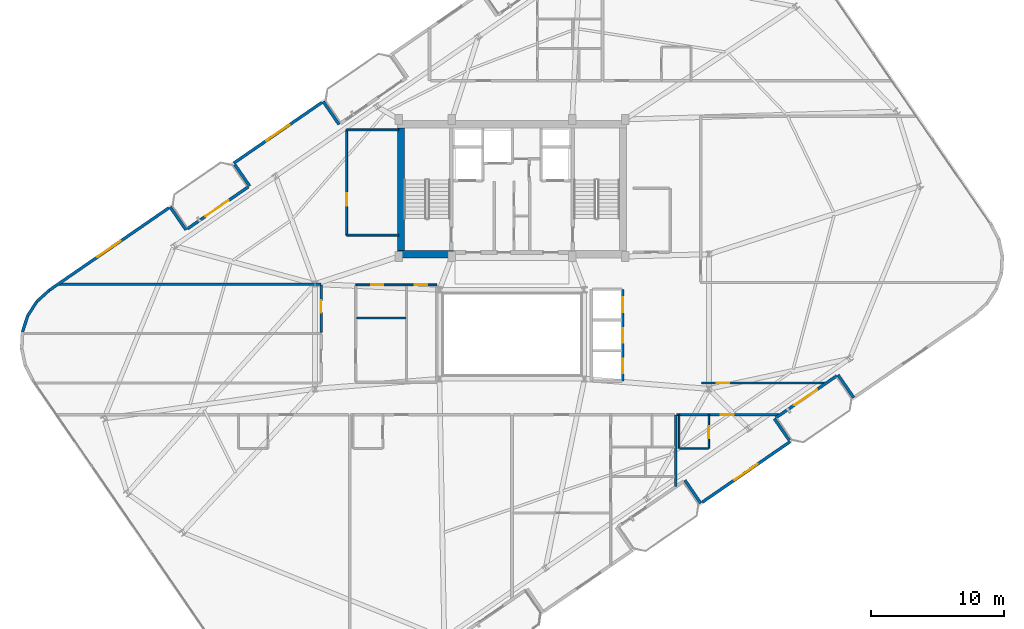
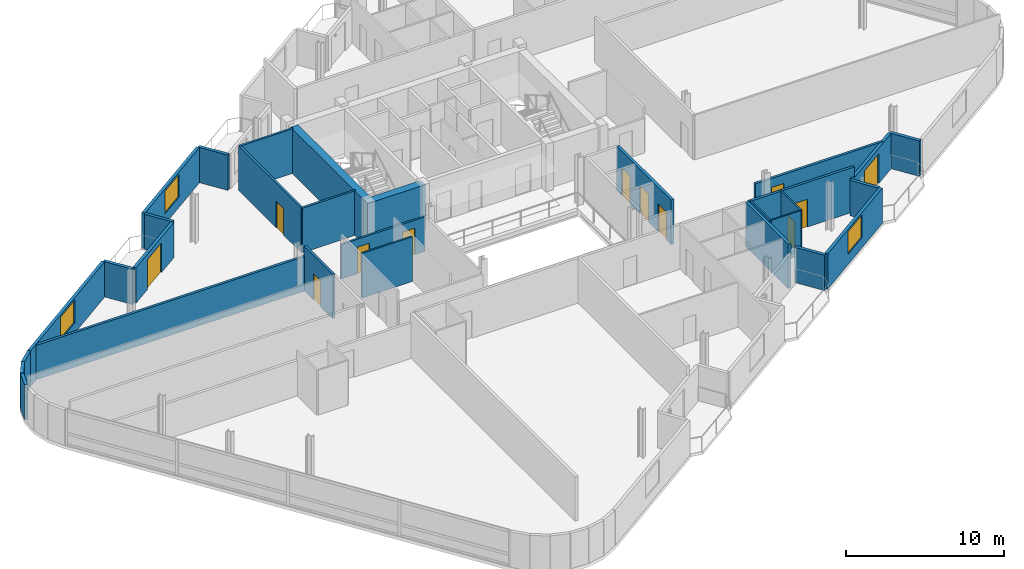
# One storey, part 15 of 21: 30 walls, 12 doors, 3 windows, 15 openings.
"""IFC4 building model written with IfcOpenShell, lengths in metres."""

from ifc_helpers import new_model, si_unit, direction, frame, frame_2d, origin, place, context, subcontext, project, spatial, rectangle, extrude, material, layer, layer_set, type_object, element, fill, save


model = new_model("IFC4")

# Units and contexts
model_context = context("Model", 3, precision=1e-05, world=origin(), true_north=direction((0.0, 1.0)))
body_context = subcontext(model_context, "Body", "Model", "MODEL_VIEW")
ifc_project = project(units=[si_unit("LENGTHUNIT", "METRE"), si_unit("AREAUNIT", "SQUARE_METRE"), si_unit("VOLUMEUNIT", "CUBIC_METRE"), si_unit("PLANEANGLEUNIT", "RADIAN"), si_unit("MASSUNIT", "GRAM", prefix="KILO")], contexts=[model_context])

# Site, building, storey
site_placement = place(None, origin())
site = spatial("IfcSite", under=ifc_project, at=site_placement, CompositionType="ELEMENT")
building_placement = place(site_placement, origin())
building = spatial("IfcBuilding", under=site, at=building_placement, Name="Varnelok Gate Tower", CompositionType="ELEMENT")
storey_placement = place(building_placement, frame((0.0, 0.0, 276.699951171875)))
storey = spatial("IfcBuildingStorey", under=building, at=storey_placement, Name="L71", CompositionType="ELEMENT", Elevation=276.699951171875)

# Wall, opening, door
ifc_material_1 = material(Name="Concrete C45/55", Category="concrete")
ifc_layer_1 = layer(ifc_material_1, 0.219970703125)
ifc_layer_set_1 = layer_set([ifc_layer_1], Name="Concrete C45/55")
wall_type_1 = type_object("IfcWallType", Name="EW-BALC-220", PredefinedType="SOLIDWALL", material=ifc_layer_set_1)
wall_1_placement = place(storey_placement, frame((63.60498046875, 19.780029296875, 0.0), z_axis=(0.0, 0.0, 1.0), x_axis=(-0.823541290762, -0.567256328665, 0.0)))
wall_1 = element("IfcWall", 1, at=wall_1_placement, inside=storey, type_object=wall_type_1, Name="L71 South Terrace Envelope Wall 3", PredefinedType="SOLIDWALL", context=body_context, shape_type="SweptSolid", body=[
    extrude(rectangle(XDim=5.567138671875, YDim=0.219970703125, at=frame_2d((2.78369140625, 0.0))), origin(), (0.0, 0.0, 1.0), 2.72998046875),
])
opening_1_placement = place(wall_1_placement, frame((1.786865234375, 0.0, 0.0)))
opening_1 = element("IfcOpeningElement", 2, at=opening_1_placement, cuts=wall_1, Name="Opening BD-2", PredefinedType="OPENING", context=body_context, shape_type="SweptSolid", body=[
    extrude(rectangle(XDim=2.10009765625, YDim=2.300048828125, at=frame_2d((1.050048828125, 1.14990234375))), frame((0.0, 0.119873046875, 0.0), z_axis=(0.0, -1.0, 0.0), x_axis=(1.0, 0.0, 0.0)), (0.0, 0.0, 1.0), 0.239990234375),
])
ifc_material_2 = material(Name="Anodized Aluminum Alloy 6063-T6", Category="aluminium")
door_type_1 = type_object("IfcDoorType", Name="DR-EXT-SLID2100", OperationType="SLIDING_TO_LEFT", PredefinedType="DOOR", material=ifc_material_2)
door_1_placement = place(opening_1_placement, origin())
door_1 = element("IfcDoor", 3, at=door_1_placement, inside=storey, type_object=door_type_1, Name="L71 South Balcony Glazed Door 3", OperationType="SLIDING_TO_LEFT", OverallHeight=2.300048828125, OverallWidth=2.10009765625, PredefinedType="DOOR", context=body_context, shape_type="SweptSolid", body=[
    extrude(rectangle(XDim=2.10009765625, YDim=2.300048828125, at=frame_2d((1.050048828125, 1.14990234375))), frame((0.0, 0.02490234375, 0.0), z_axis=(0.0, -1.0, 0.0), x_axis=(1.0, 0.0, 0.0)), (0.0, 0.0, 1.0), 0.050048828125),
])
fill(opening_1, door_1)

wall_2_placement = place(storey_placement, frame((14.794921875, 30.81982421875, 0.0), z_axis=(0.0, 0.0, 1.0), x_axis=(0.823541290762, 0.567256328665, 0.0)))
wall_2 = element("IfcWall", 4, at=wall_2_placement, inside=storey, type_object=wall_type_1, Name="L71 North Terrace Envelope Wall 4", PredefinedType="SOLIDWALL", context=body_context, shape_type="SweptSolid", body=[
    extrude(rectangle(XDim=5.567138671875, YDim=0.219970703125, at=frame_2d((2.78369140625, 0.0))), origin(), (0.0, 0.0, 1.0), 2.72998046875),
])
opening_2_placement = place(wall_2_placement, frame((1.68017578125, 0.0, 0.0)))
opening_2 = element("IfcOpeningElement", 5, at=opening_2_placement, cuts=wall_2, Name="Opening BD-2", PredefinedType="OPENING", context=body_context, shape_type="SweptSolid", body=[
    extrude(rectangle(XDim=2.10009765625, YDim=2.300048828125, at=frame_2d((1.050048828125, 1.14990234375))), frame((0.0, 0.119873046875, 0.0), z_axis=(0.0, -1.0, 0.0), x_axis=(1.0, 0.0, 0.0)), (0.0, 0.0, 1.0), 0.239990234375),
])
door_2_placement = place(opening_2_placement, origin())
door_2 = element("IfcDoor", 6, at=door_2_placement, inside=storey, type_object=door_type_1, Name="L71 North Balcony Glazed Door 4", OperationType="SLIDING_TO_LEFT", OverallHeight=2.300048828125, OverallWidth=2.10009765625, PredefinedType="DOOR", context=body_context, shape_type="SweptSolid", body=[
    extrude(rectangle(XDim=2.10009765625, YDim=2.300048828125, at=frame_2d((1.050048828125, 1.14990234375))), frame((0.0, 0.02490234375, 0.0), z_axis=(0.0, -1.0, 0.0), x_axis=(1.0, 0.0, 0.0)), (0.0, 0.0, 1.0), 0.050048828125),
])
fill(opening_2, door_2)

# Wall
wall_3_placement = place(storey_placement, frame((52.19580078125, 11.933349609375, 0.0), z_axis=(0.0, 0.0, 1.0), x_axis=(0.56729822855, -0.823512428494, 0.0)))
element("IfcWall", 7, at=wall_3_placement, inside=storey, type_object=wall_type_1, Name="L71 Perimeter Facade Closure Wall 12", PredefinedType="SOLIDWALL", context=body_context, shape_type="SweptSolid", body=[
    extrude(rectangle(XDim=2.10009765625, YDim=0.219970703125, at=frame_2d((1.050048828125, 0.0))), origin(), (0.0, 0.0, 1.0), 2.72998046875),
])

# Wall, opening, window
wall_4_placement = place(storey_placement, frame((53.489990234375, 10.27490234375, 0.0), z_axis=(0.0, 0.0, 1.0), x_axis=(0.823530942962, 0.56727135128, 0.0)))
wall_4 = element("IfcWall", 8, at=wall_4_placement, inside=storey, type_object=wall_type_1, Name="L71 Perimeter Facade Closure Wall 13", PredefinedType="SOLIDWALL", context=body_context, shape_type="SweptSolid", body=[
    extrude(rectangle(XDim=8.03515625, YDim=0.219970703125, at=frame_2d((4.017578125, 0.0))), origin(), (0.0, 0.0, 1.0), 2.72998046875),
])
opening_3_placement = place(wall_4_placement, frame((2.967529296875, 0.0, 0.800048828125)))
opening_3 = element("IfcOpeningElement", 9, at=opening_3_placement, cuts=wall_4, Name="Opening WN4", PredefinedType="OPENING", context=body_context, shape_type="SweptSolid", body=[
    extrude(rectangle(XDim=2.10009765625, YDim=1.75, at=frame_2d((1.050048828125, 0.875))), frame((0.0, 0.119873046875, 0.0), z_axis=(0.0, -1.0, 0.0), x_axis=(1.0, 0.0, 0.0)), (0.0, 0.0, 1.0), 0.239990234375),
])
ifc_material_3 = material(Name="Low-E Laminated Double Glazing IGU", Category="glass")
window_type = type_object("IfcWindowType", Name="WN-SUI-2100", PartitioningType="SINGLE_PANEL", PredefinedType="WINDOW", material=ifc_material_3)
window_1_placement = place(opening_3_placement, origin())
window_1 = element("IfcWindow", 10, at=window_1_placement, inside=storey, type_object=window_type, Name="L71 Perimeter Vision Window 13", OverallHeight=1.75, OverallWidth=2.10009765625, PartitioningType="SINGLE_PANEL", PredefinedType="WINDOW", context=body_context, shape_type="SweptSolid", body=[
    extrude(rectangle(XDim=2.10009765625, YDim=1.75, at=frame_2d((1.050048828125, 0.875))), frame((0.0, 0.030029296875, 0.0), z_axis=(0.0, -1.0, 0.0), x_axis=(1.0, 0.0, 0.0)), (0.0, 0.0, 1.0), 0.06005859375),
])
fill(opening_3, window_1)

# Walls
wall_5_placement = place(storey_placement, frame((60.0361328125, 14.935791015625, 0.0), z_axis=(0.0, 0.0, 1.0), x_axis=(-0.567273565974, 0.823529417415, 0.0)))
element("IfcWall", 11, at=wall_5_placement, inside=storey, type_object=wall_type_1, Name="L71 Perimeter Facade Closure Wall 14", PredefinedType="SOLIDWALL", context=body_context, shape_type="SweptSolid", body=[
    extrude(rectangle(XDim=1.97509765625, YDim=0.219970703125, at=frame_2d((0.987548828125, 0.0))), origin(), (0.0, 0.0, 1.0), 2.72998046875),
])
for number, where, z_axis, x_axis, name in (
    (12, (63.6982421875, 19.8564453125, 0.0), (0.0, 0.0, 1.0), (0.567219383419, -0.823566737474, 0.0), "L71 Perimeter Facade Closure Wall 15"),
    (13, (26.2041015625, 38.66650390625, 0.0), (0.0, 0.0, 1.0), (-0.567219383419, 0.823566737474, 0.0), "L71 Perimeter Facade Closure Wall 34"),
):
    element("IfcWall", number, at=place(storey_placement, frame(where, z_axis=z_axis, x_axis=x_axis)), inside=storey, type_object=wall_type_1, Name=name, PredefinedType="SOLIDWALL", context=body_context, shape_type="SweptSolid", body=[
        extrude(rectangle(XDim=2.10009765625, YDim=0.219970703125, at=frame_2d((1.050048828125, 0.0))), origin(), (0.0, 0.0, 1.0), 2.72998046875),
    ])

# Wall, opening, window
wall_6_placement = place(storey_placement, frame((24.909912109375, 40.3251953125, 0.0), z_axis=(0.0, 0.0, 1.0), x_axis=(-0.823521165086, -0.56728554596, 0.0)))
wall_6 = element("IfcWall", 14, at=wall_6_placement, inside=storey, type_object=wall_type_1, Name="L71 Perimeter Facade Closure Wall 35", PredefinedType="SOLIDWALL", context=body_context, shape_type="SweptSolid", body=[
    extrude(rectangle(XDim=8.034912109375, YDim=0.219970703125, at=frame_2d((4.017578125, 0.0))), origin(), (0.0, 0.0, 1.0), 2.72998046875),
])
opening_4_placement = place(wall_6_placement, frame((2.967529296875, 0.0, 0.800048828125)))
opening_4 = element("IfcOpeningElement", 15, at=opening_4_placement, cuts=wall_6, Name="Opening WN4", PredefinedType="OPENING", context=body_context, shape_type="SweptSolid", body=[
    extrude(rectangle(XDim=2.10009765625, YDim=1.75, at=frame_2d((1.050048828125, 0.875))), frame((0.0, 0.119873046875, 0.0), z_axis=(0.0, -1.0, 0.0), x_axis=(1.0, 0.0, 0.0)), (0.0, 0.0, 1.0), 0.239990234375),
])
window_2_placement = place(opening_4_placement, origin())
window_2 = element("IfcWindow", 16, at=window_2_placement, inside=storey, type_object=window_type, Name="L71 Perimeter Vision Window 35", OverallHeight=1.75, OverallWidth=2.10009765625, PartitioningType="SINGLE_PANEL", PredefinedType="WINDOW", context=body_context, shape_type="SweptSolid", body=[
    extrude(rectangle(XDim=2.10009765625, YDim=1.75, at=frame_2d((1.050048828125, 0.875))), frame((0.0, 0.030029296875, 0.0), z_axis=(0.0, -1.0, 0.0), x_axis=(1.0, 0.0, 0.0)), (0.0, 0.0, 1.0), 0.06005859375),
])
fill(opening_4, window_2)

# Walls
wall_7_placement = place(storey_placement, frame((18.36376953125, 35.664306640625, 0.0), z_axis=(0.0, 0.0, 1.0), x_axis=(0.567215821234, -0.823569190865, 0.0)))
element("IfcWall", 17, at=wall_7_placement, inside=storey, type_object=wall_type_1, Name="L71 Perimeter Facade Closure Wall 36", PredefinedType="SOLIDWALL", context=body_context, shape_type="SweptSolid", body=[
    extrude(rectangle(XDim=1.97509765625, YDim=0.219970703125, at=frame_2d((0.987548828125, 0.0))), origin(), (0.0, 0.0, 1.0), 2.72998046875),
])
wall_8_placement = place(storey_placement, frame((14.701904296875, 30.74365234375, 0.0), z_axis=(0.0, 0.0, 1.0), x_axis=(-0.567352541689, 0.823475010816, 0.0)))
element("IfcWall", 18, at=wall_8_placement, inside=storey, type_object=wall_type_1, Name="L71 Perimeter Facade Closure Wall 37", PredefinedType="SOLIDWALL", context=body_context, shape_type="SweptSolid", body=[
    extrude(rectangle(XDim=2.099853515625, YDim=0.219970703125, at=frame_2d((1.0498046875, 0.0))), origin(), (0.0, 0.0, 1.0), 2.72998046875),
])

# Wall, opening, window
wall_9_placement = place(storey_placement, frame((13.40771484375, 32.402099609375, 0.0), z_axis=(0.0, 0.0, 1.0), x_axis=(-0.823527634633, -0.567276154087, 0.0)))
wall_9 = element("IfcWall", 19, at=wall_9_placement, inside=storey, type_object=wall_type_1, Name="L71 Perimeter Facade Closure Wall 38", PredefinedType="SOLIDWALL", context=body_context, shape_type="SweptSolid", body=[
    extrude(rectangle(XDim=10.88037109375, YDim=0.219970703125, at=frame_2d((5.440185546875, 0.0))), origin(), (0.0, 0.0, 1.0), 2.72998046875),
])
opening_5_placement = place(wall_9_placement, frame((4.39013671875, 0.0, 0.800048828125)))
opening_5 = element("IfcOpeningElement", 20, at=opening_5_placement, cuts=wall_9, Name="Opening WN4", PredefinedType="OPENING", context=body_context, shape_type="SweptSolid", body=[
    extrude(rectangle(XDim=2.10009765625, YDim=1.75, at=frame_2d((1.050048828125, 0.875))), frame((0.0, 0.119873046875, 0.0), z_axis=(0.0, -1.0, 0.0), x_axis=(1.0, 0.0, 0.0)), (0.0, 0.0, 1.0), 0.239990234375),
])
window_3_placement = place(opening_5_placement, origin())
window_3 = element("IfcWindow", 21, at=window_3_placement, inside=storey, type_object=window_type, Name="L71 Perimeter Vision Window 38", OverallHeight=1.75, OverallWidth=2.10009765625, PartitioningType="SINGLE_PANEL", PredefinedType="WINDOW", context=body_context, shape_type="SweptSolid", body=[
    extrude(rectangle(XDim=2.10009765625, YDim=1.75, at=frame_2d((1.050048828125, 0.875))), frame((0.0, 0.030029296875, 0.0), z_axis=(0.0, -1.0, 0.0), x_axis=(1.0, 0.0, 0.0)), (0.0, 0.0, 1.0), 0.06005859375),
])
fill(opening_5, window_3)

# Walls
wall_10_placement = place(storey_placement, frame((4.428955078125, 26.21337890625, 0.0), z_axis=(0.0, 0.0, 1.0), x_axis=(-0.742414330744, -0.669941013453, 0.0)))
element("IfcWall", 22, at=wall_10_placement, inside=storey, type_object=wall_type_1, Name="L71 Perimeter Facade Closure Wall 39", PredefinedType="SOLIDWALL", context=body_context, shape_type="SweptSolid", body=[
    extrude(rectangle(XDim=1.256591796875, YDim=0.219970703125, at=frame_2d((0.62841796875, 0.0))), origin(), (0.0, 0.0, 1.0), 2.72998046875),
])
for number, where, z_axis, x_axis, name in (
    (23, (3.482421875, 25.3505859375, 0.0), (0.0, 0.0, 1.0), (-0.543778157277, -0.839229000731, 0.0), "L71 Perimeter Facade Closure Wall 40"),
    (24, (2.7958984375, 24.27880859375, 0.0), (0.0, 0.0, 1.0), (-0.30817950344, -0.951328226039, 0.0), "L71 Perimeter Facade Closure Wall 41"),
):
    element("IfcWall", number, at=place(storey_placement, frame(where, z_axis=z_axis, x_axis=x_axis)), inside=storey, type_object=wall_type_1, Name=name, PredefinedType="SOLIDWALL", context=body_context, shape_type="SweptSolid", body=[
        extrude(rectangle(XDim=1.24853515625, YDim=0.219970703125, at=frame_2d((0.624267578125, 0.0))), origin(), (0.0, 0.0, 1.0), 2.72998046875),
    ])

# Wall, opening, door
ifc_material_4 = material(Name="Gypsum Plasterboard Acoustic Partition", Category="gypsum")
ifc_layer_2 = layer(ifc_material_4, 0.179931640625)
ifc_layer_set_2 = layer_set([ifc_layer_2], Name="Gypsum Plasterboard Acoustic Partition")
wall_type_2 = type_object("IfcWallType", Name="PW-CORR-180", PredefinedType="PARTITIONING", material=ifc_layer_set_2)
wall_11_placement = place(storey_placement, frame((51.580078125, 16.85009765625, 0.0), z_axis=(0.0, 0.0, 1.0), x_axis=(1.0, 0.0, 0.0)))
wall_11 = element("IfcWall", 25, at=wall_11_placement, inside=storey, type_object=wall_type_2, Name="Interior Partition", PredefinedType="PARTITIONING", context=body_context, shape_type="SweptSolid", body=[
    extrude(rectangle(XDim=7.71826171875, YDim=0.179931640625, at=frame_2d((3.859130859375, 0.0))), origin(), (0.0, 0.0, 1.0), 3.449951171875),
])
opening_6_placement = place(wall_11_placement, frame((3.326171875, 0.0, 0.0)))
opening_6 = element("IfcOpeningElement", 26, at=opening_6_placement, cuts=wall_11, Name="Opening D-HT", PredefinedType="OPENING", context=body_context, shape_type="SweptSolid", body=[
    extrude(rectangle(XDim=0.949951171875, YDim=2.14990234375, at=frame_2d((0.47509765625, 1.074951171875))), frame((0.0, 0.099853515625, 0.0), z_axis=(0.0, -1.0, 0.0), x_axis=(1.0, 0.0, 0.0)), (0.0, 0.0, 1.0), 0.199951171875),
])
ifc_material_5 = material(Name="Engineered Hardwood Timber", Category="wood")
door_type_2 = type_object("IfcDoorType", Name="DR-HTL-950", OperationType="NOTDEFINED", PredefinedType="DOOR", material=ifc_material_5)
door_3_placement = place(opening_6_placement, origin())
door_3 = element("IfcDoor", 27, at=door_3_placement, inside=storey, type_object=door_type_2, Name="L71 Guest Room 04 Entrance Door", OperationType="SINGLE_SWING_LEFT", OverallHeight=2.14990234375, OverallWidth=0.949951171875, PredefinedType="DOOR", context=body_context, shape_type="SweptSolid", body=[
    extrude(rectangle(XDim=0.949951171875, YDim=2.14990234375, at=frame_2d((0.47509765625, 1.074951171875))), frame((0.0, 0.02490234375, 0.0), z_axis=(0.0, -1.0, 0.0), x_axis=(1.0, 0.0, 0.0)), (0.0, 0.0, 1.0), 0.050048828125),
])
fill(opening_6, door_3)

wall_12_placement = place(storey_placement, frame((24.85009765625, 23.030029296875, 0.0), z_axis=(0.0, 0.0, 1.0), x_axis=(0.0, 1.0, 0.0)))
wall_12 = element("IfcWall", 28, at=wall_12_placement, inside=storey, type_object=wall_type_2, Name="Interior Partition", PredefinedType="PARTITIONING", context=body_context, shape_type="SweptSolid", body=[
    extrude(rectangle(XDim=3.570068359375, YDim=0.179931640625, at=frame_2d((1.78515625, 0.0))), origin(), (0.0, 0.0, 1.0), 3.449951171875),
])
opening_7_placement = place(wall_12_placement, frame((1.49951171875, 0.0, 0.0)))
opening_7 = element("IfcOpeningElement", 29, at=opening_7_placement, cuts=wall_12, Name="Opening D-I3", PredefinedType="OPENING", context=body_context, shape_type="SweptSolid", body=[
    extrude(rectangle(XDim=0.919921875, YDim=2.050048828125, at=frame_2d((0.4599609375, 1.02490234375))), frame((0.0, 0.099853515625, 0.0), z_axis=(0.0, -1.0, 0.0), x_axis=(1.0, 0.0, 0.0)), (0.0, 0.0, 1.0), 0.199951171875),
])
door_type_3 = type_object("IfcDoorType", Name="DR-INT-920", OperationType="NOTDEFINED", PredefinedType="DOOR", material=ifc_material_5)
door_4_placement = place(opening_7_placement, origin())
door_4 = element("IfcDoor", 30, at=door_4_placement, inside=storey, type_object=door_type_3, Name="L71 West Wing Room 2 Door", OperationType="SINGLE_SWING_RIGHT", OverallHeight=2.050048828125, OverallWidth=0.919921875, PredefinedType="DOOR", context=body_context, shape_type="SweptSolid", body=[
    extrude(rectangle(XDim=0.919921875, YDim=2.050048828125, at=frame_2d((0.4599609375, 1.02490234375))), frame((0.0, 0.02490234375, 0.0), z_axis=(0.0, -1.0, 0.0), x_axis=(1.0, 0.0, 0.0)), (0.0, 0.0, 1.0), 0.050048828125),
])
fill(opening_7, door_4)

# Wall
wall_13_placement = place(storey_placement, frame((5.10693359375, 26.659912109375, 0.0), z_axis=(0.0, 0.0, 1.0), x_axis=(1.0, 0.0, 0.0)))
element("IfcWall", 31, at=wall_13_placement, inside=storey, type_object=wall_type_2, Name="Interior Partition", PredefinedType="PARTITIONING", context=body_context, shape_type="SweptSolid", body=[
    extrude(rectangle(XDim=19.7431640625, YDim=0.179931640625, at=frame_2d((9.87158203125, 0.0))), origin(), (0.0, 0.0, 1.0), 2.662109375),
])

# Wall, opening, door
wall_14_placement = place(storey_placement, frame((53.449951171875, 19.239990234375, 0.0), z_axis=(0.0, 0.0, 1.0), x_axis=(1.0, 0.0, 0.0)))
wall_14 = element("IfcWall", 32, at=wall_14_placement, inside=storey, type_object=wall_type_2, Name="Interior Partition", PredefinedType="PARTITIONING", context=body_context, shape_type="SweptSolid", body=[
    extrude(rectangle(XDim=9.318115234375, YDim=0.179931640625, at=frame_2d((4.6591796875, 0.0))), origin(), (0.0, 0.0, 1.0), 2.739013671875),
])
opening_8_placement = place(wall_14_placement, frame((1.14990234375, 0.0, 0.0)))
opening_8 = element("IfcOpeningElement", 33, at=opening_8_placement, cuts=wall_14, Name="Opening D-I3", PredefinedType="OPENING", context=body_context, shape_type="SweptSolid", body=[
    extrude(rectangle(XDim=0.919921875, YDim=2.050048828125, at=frame_2d((0.4599609375, 1.02490234375))), frame((0.0, 0.099853515625, 0.0), z_axis=(0.0, -1.0, 0.0), x_axis=(1.0, 0.0, 0.0)), (0.0, 0.0, 1.0), 0.199951171875),
])
door_5_placement = place(opening_8_placement, origin())
door_5 = element("IfcDoor", 34, at=door_5_placement, inside=storey, type_object=door_type_3, Name="L71 East Studio Door", OperationType="SINGLE_SWING_LEFT", OverallHeight=2.050048828125, OverallWidth=0.919921875, PredefinedType="DOOR", context=body_context, shape_type="SweptSolid", body=[
    extrude(rectangle(XDim=0.919921875, YDim=2.050048828125, at=frame_2d((0.4599609375, 1.02490234375))), frame((0.0, 0.02490234375, 0.0), z_axis=(0.0, -1.0, 0.0), x_axis=(1.0, 0.0, 0.0)), (0.0, 0.0, 1.0), 0.050048828125),
])
fill(opening_8, door_5)

# Wall
ifc_layer_3 = layer(ifc_material_4, 0.114990234375)
ifc_layer_set_3 = layer_set([ifc_layer_3], Name="Gypsum Plasterboard Acoustic Partition")
wall_type_3 = type_object("IfcWallType", Name="PW-ENS-125", PredefinedType="PARTITIONING", material=ifc_layer_set_3)
wall_15_placement = place(storey_placement, frame((51.800048828125, 14.330078125, 0.0), z_axis=(0.0, 0.0, 1.0), x_axis=(1.0, 0.0, 0.0)))
element("IfcWall", 35, at=wall_15_placement, inside=storey, type_object=wall_type_3, Name="Interior Partition", PredefinedType="PARTITIONING", context=body_context, shape_type="SweptSolid", body=[
    extrude(rectangle(XDim=2.14990234375, YDim=0.114990234375, at=frame_2d((1.074951171875, 0.0))), origin(), (0.0, 0.0, 1.0), 3.449951171875),
])

# Wall, opening, door
wall_16_placement = place(storey_placement, frame((53.989990234375, 14.330078125, 0.0), z_axis=(0.0, 0.0, 1.0), x_axis=(0.0, 1.0, 0.0)))
wall_16 = element("IfcWall", 36, at=wall_16_placement, inside=storey, type_object=wall_type_3, Name="Interior Partition", PredefinedType="PARTITIONING", context=body_context, shape_type="SweptSolid", body=[
    extrude(rectangle(XDim=2.52001953125, YDim=0.114990234375, at=frame_2d((1.260009765625, 0.0))), origin(), (0.0, 0.0, 1.0), 3.449951171875),
])
opening_9_placement = place(wall_16_placement, frame((0.760009765625, 0.0, 0.0)))
opening_9 = element("IfcOpeningElement", 37, at=opening_9_placement, cuts=wall_16, Name="Opening D-WC", PredefinedType="OPENING", context=body_context, shape_type="SweptSolid", body=[
    extrude(rectangle(XDim=0.89990234375, YDim=2.050048828125, at=frame_2d((0.449951171875, 1.02490234375))), frame((0.0, 0.0673828125, 0.0), z_axis=(0.0, -1.0, 0.0), x_axis=(1.0, 0.0, 0.0)), (0.0, 0.0, 1.0), 0.135009765625),
])
door_type_4 = type_object("IfcDoorType", Name="DR-BATH-900", OperationType="NOTDEFINED", PredefinedType="DOOR", material=ifc_material_5)
door_6_placement = place(opening_9_placement, origin())
door_6 = element("IfcDoor", 38, at=door_6_placement, inside=storey, type_object=door_type_4, Name="L71 Guest En-Suite 04 Door", OperationType="SINGLE_SWING_LEFT", OverallHeight=2.050048828125, OverallWidth=0.89990234375, PredefinedType="DOOR", context=body_context, shape_type="SweptSolid", body=[
    extrude(rectangle(XDim=0.89990234375, YDim=2.050048828125, at=frame_2d((0.449951171875, 1.02490234375))), frame((0.0, 0.02490234375, 0.0), z_axis=(0.0, -1.0, 0.0), x_axis=(1.0, 0.0, 0.0)), (0.0, 0.0, 1.0), 0.050048828125),
])
fill(opening_9, door_6)

# Walls
wall_17_placement = place(storey_placement, frame((51.760009765625, 14.330078125, 0.0), z_axis=(0.0, 0.0, 1.0), x_axis=(0.0, 1.0, 0.0)))
element("IfcWall", 39, at=wall_17_placement, inside=storey, type_object=wall_type_3, Name="Interior Partition", PredefinedType="PARTITIONING", context=body_context, shape_type="SweptSolid", body=[
    extrude(rectangle(XDim=2.52001953125, YDim=0.114990234375, at=frame_2d((1.260009765625, 0.0))), origin(), (0.0, 0.0, 1.0), 3.449951171875),
])
ifc_layer_4 = layer(ifc_material_4, 0.125)
ifc_layer_set_4 = layer_set([ifc_layer_4], Name="Gypsum Plasterboard Acoustic Partition")
wall_type_4 = type_object("IfcWallType", Name="PW-PART-125", PredefinedType="PARTITIONING", material=ifc_layer_set_4)
wall_18_placement = place(storey_placement, frame((27.52001953125, 24.1298828125, 0.0), z_axis=(0.0, 0.0, 1.0), x_axis=(1.0, 0.0, 0.0)))
element("IfcWall", 40, at=wall_18_placement, inside=storey, type_object=wall_type_4, Name="Interior Partition", PredefinedType="PARTITIONING", context=body_context, shape_type="SweptSolid", body=[
    extrude(rectangle(XDim=3.699951171875, YDim=0.125, at=frame_2d((1.85009765625, 0.0))), origin(), (0.0, 0.0, 1.0), 3.449951171875),
])

# Wall, openings, doors
ifc_layer_5 = layer(ifc_material_4, 0.14990234375)
ifc_layer_set_5 = layer_set([ifc_layer_5], Name="Gypsum Plasterboard Acoustic Partition")
wall_type_5 = type_object("IfcWallType", Name="PW-PART-150", PredefinedType="PARTITIONING", material=ifc_layer_set_5)
wall_19_placement = place(storey_placement, frame((27.4599609375, 26.6201171875, 0.0), z_axis=(0.0, 0.0, 1.0), x_axis=(1.0, 0.0, 0.0)))
wall_19 = element("IfcWall", 41, at=wall_19_placement, inside=storey, type_object=wall_type_5, Name="Interior Partition", PredefinedType="PARTITIONING", context=body_context, shape_type="SweptSolid", body=[
    extrude(rectangle(XDim=6.10009765625, YDim=0.14990234375, at=frame_2d((3.050048828125, 0.0))), origin(), (0.0, 0.0, 1.0), 2.662109375),
])
opening_10_placement = place(wall_19_placement, frame((1.14990234375, 0.0, 0.0)))
opening_10 = element("IfcOpeningElement", 42, at=opening_10_placement, cuts=wall_19, Name="Opening D-WC", PredefinedType="OPENING", context=body_context, shape_type="SweptSolid", body=[
    extrude(rectangle(XDim=0.89990234375, YDim=2.050048828125, at=frame_2d((0.449951171875, 1.02490234375))), frame((0.0, 0.0849609375, 0.0), z_axis=(0.0, -1.0, 0.0), x_axis=(1.0, 0.0, 0.0)), (0.0, 0.0, 1.0), 0.169921875),
])
opening_11_placement = place(wall_19_placement, frame((4.449951171875, 0.0, 0.0)))
opening_11 = element("IfcOpeningElement", 43, at=opening_11_placement, cuts=wall_19, Name="Opening D-I3", PredefinedType="OPENING", context=body_context, shape_type="SweptSolid", body=[
    extrude(rectangle(XDim=0.919921875, YDim=2.050048828125, at=frame_2d((0.4599609375, 1.02490234375))), frame((0.0, 0.0849609375, 0.0), z_axis=(0.0, -1.0, 0.0), x_axis=(1.0, 0.0, 0.0)), (0.0, 0.0, 1.0), 0.169921875),
])
door_7_placement = place(opening_10_placement, origin())
door_7 = element("IfcDoor", 44, at=door_7_placement, inside=storey, type_object=door_type_4, Name="L71 Accessible Floor WC Door", OperationType="SINGLE_SWING_LEFT", OverallHeight=2.050048828125, OverallWidth=0.89990234375, PredefinedType="DOOR", context=body_context, shape_type="SweptSolid", body=[
    extrude(rectangle(XDim=0.89990234375, YDim=2.050048828125, at=frame_2d((0.449951171875, 1.02490234375))), frame((0.0, 0.02490234375, 0.0), z_axis=(0.0, -1.0, 0.0), x_axis=(1.0, 0.0, 0.0)), (0.0, 0.0, 1.0), 0.050048828125),
])
fill(opening_10, door_7)
door_8_placement = place(opening_11_placement, origin())
door_8 = element("IfcDoor", 45, at=door_8_placement, inside=storey, type_object=door_type_3, Name="L71 Valet Pantry Door", OperationType="SINGLE_SWING_RIGHT", OverallHeight=2.050048828125, OverallWidth=0.919921875, PredefinedType="DOOR", context=body_context, shape_type="SweptSolid", body=[
    extrude(rectangle(XDim=0.919921875, YDim=2.050048828125, at=frame_2d((0.4599609375, 1.02490234375))), frame((0.0, 0.02490234375, 0.0), z_axis=(0.0, -1.0, 0.0), x_axis=(1.0, 0.0, 0.0)), (0.0, 0.0, 1.0), 0.050048828125),
])
fill(opening_11, door_8)

# Walls
for number, where, z_axis, x_axis, name in (
    (46, (26.780029296875, 30.360107421875, 0.0), (0.0, 0.0, 1.0), (1.0, 0.0, 0.0), "Interior Partition"),
    (47, (26.780029296875, 38.260009765625, 0.0), (0.0, 0.0, 1.0), (1.0, 0.0, 0.0), "Interior Partition"),
):
    element("IfcWall", number, at=place(storey_placement, frame(where, z_axis=z_axis, x_axis=x_axis)), inside=storey, type_object=wall_type_5, Name=name, PredefinedType="PARTITIONING", context=body_context, shape_type="SweptSolid", body=[
        extrude(rectangle(XDim=3.89990234375, YDim=0.14990234375, at=frame_2d((1.949951171875, 0.0))), origin(), (0.0, 0.0, 1.0), 3.449951171875),
    ])

# Wall, opening, door
wall_20_placement = place(storey_placement, frame((26.780029296875, 30.360107421875, 0.0), z_axis=(0.0, 0.0, 1.0), x_axis=(0.0, 1.0, 0.0)))
wall_20 = element("IfcWall", 48, at=wall_20_placement, inside=storey, type_object=wall_type_5, Name="Interior Partition", PredefinedType="PARTITIONING", context=body_context, shape_type="SweptSolid", body=[
    extrude(rectangle(XDim=7.89990234375, YDim=0.14990234375, at=frame_2d((3.949951171875, 0.0))), origin(), (0.0, 0.0, 1.0), 3.449951171875),
])
opening_12_placement = place(wall_20_placement, frame((2.199951171875, 0.0, 0.0)))
opening_12 = element("IfcOpeningElement", 49, at=opening_12_placement, cuts=wall_20, Name="Opening D-I2", PredefinedType="OPENING", context=body_context, shape_type="SweptSolid", body=[
    extrude(rectangle(XDim=0.949951171875, YDim=2.050048828125, at=frame_2d((0.47509765625, 1.02490234375))), frame((0.0, 0.0849609375, 0.0), z_axis=(0.0, -1.0, 0.0), x_axis=(1.0, 0.0, 0.0)), (0.0, 0.0, 1.0), 0.169921875),
])
door_type_5 = type_object("IfcDoorType", Name="DR-INT-950", OperationType="NOTDEFINED", PredefinedType="DOOR", material=ifc_material_5)
door_9_placement = place(opening_12_placement, origin())
door_9 = element("IfcDoor", 50, at=door_9_placement, inside=storey, type_object=door_type_5, Name="L71 Core Valet Door", OperationType="SINGLE_SWING_RIGHT", OverallHeight=2.050048828125, OverallWidth=0.949951171875, PredefinedType="DOOR", context=body_context, shape_type="SweptSolid", body=[
    extrude(rectangle(XDim=0.949951171875, YDim=2.050048828125, at=frame_2d((0.47509765625, 1.02490234375))), frame((0.0, 0.02490234375, 0.0), z_axis=(0.0, -1.0, 0.0), x_axis=(1.0, 0.0, 0.0)), (0.0, 0.0, 1.0), 0.050048828125),
])
fill(opening_12, door_9)

# Wall
ifc_layer_6 = layer(ifc_material_4, 0.205078125)
ifc_layer_set_6 = layer_set([ifc_layer_6], Name="Gypsum Plasterboard Acoustic Partition")
wall_type_6 = type_object("IfcWallType", Name="PW-PARTY-200", PredefinedType="PARTITIONING", material=ifc_layer_set_6)
wall_21_placement = place(storey_placement, frame((51.5, 11.478515625, 0.0), z_axis=(0.0, 0.0, 1.0), x_axis=(0.0, 1.0, 0.0)))
element("IfcWall", 51, at=wall_21_placement, inside=storey, type_object=wall_type_6, Name="L71 South Party Wall 3", PredefinedType="PARTITIONING", context=body_context, shape_type="SweptSolid", body=[
    extrude(rectangle(XDim=5.37158203125, YDim=0.205078125, at=frame_2d((2.685791015625, 0.0))), origin(), (0.0, 0.0, 1.0), 3.449951171875),
])

# Wall, openings, doors
ifc_material_6 = material(Name="Concrete C35/45", Category="concrete")
ifc_layer_7 = layer(ifc_material_6, 0.199951171875)
ifc_layer_set_7 = layer_set([ifc_layer_7], Name="Concrete C35/45")
wall_type_7 = type_object("IfcWallType", Name="PW-SHAFT-200", PredefinedType="PARTITIONING", material=ifc_layer_set_7)
wall_22_placement = place(storey_placement, frame((47.52001953125, 19.3798828125, 0.0), z_axis=(0.0, 0.0, 1.0), x_axis=(0.0, 1.0, 0.0)))
wall_22 = element("IfcWall", 52, at=wall_22_placement, inside=storey, type_object=wall_type_7, Name="L71 PH Bank Front Wall", PredefinedType="PARTITIONING", context=body_context, shape_type="SweptSolid", body=[
    extrude(rectangle(XDim=6.900146484375, YDim=0.199951171875, at=frame_2d((3.4501953125, 0.0))), origin(), (0.0, 0.0, 1.0), 3.449951171875),
])
opening_13_placement = place(wall_22_placement, frame((0.590087890625, 0.0, 0.0)))
opening_13 = element("IfcOpeningElement", 53, at=opening_13_placement, cuts=wall_22, Name="Opening LD-PH1", PredefinedType="OPENING", context=body_context, shape_type="SweptSolid", body=[
    extrude(rectangle(XDim=1.10009765625, YDim=2.14990234375, at=frame_2d((0.550048828125, 1.074951171875))), frame((0.0, 0.10986328125, 0.0), z_axis=(0.0, -1.0, 0.0), x_axis=(1.0, 0.0, 0.0)), (0.0, 0.0, 1.0), 0.219970703125),
])
opening_14_placement = place(wall_22_placement, frame((2.889892578125, 0.0, 0.0)))
opening_14 = element("IfcOpeningElement", 54, at=opening_14_placement, cuts=wall_22, Name="Opening LD-PH2", PredefinedType="OPENING", context=body_context, shape_type="SweptSolid", body=[
    extrude(rectangle(XDim=1.10009765625, YDim=2.14990234375, at=frame_2d((0.550048828125, 1.074951171875))), frame((0.0, 0.10986328125, 0.0), z_axis=(0.0, -1.0, 0.0), x_axis=(1.0, 0.0, 0.0)), (0.0, 0.0, 1.0), 0.219970703125),
])
opening_15_placement = place(wall_22_placement, frame((5.18994140625, 0.0, 0.0)))
opening_15 = element("IfcOpeningElement", 55, at=opening_15_placement, cuts=wall_22, Name="Opening LD-PH3", PredefinedType="OPENING", context=body_context, shape_type="SweptSolid", body=[
    extrude(rectangle(XDim=1.10009765625, YDim=2.14990234375, at=frame_2d((0.550048828125, 1.074951171875))), frame((0.0, 0.10986328125, 0.0), z_axis=(0.0, -1.0, 0.0), x_axis=(1.0, 0.0, 0.0)), (0.0, 0.0, 1.0), 0.219970703125),
])
ifc_material_7 = material(Name="Galvanized Steel Grade S350GD", Category="steel")
door_type_6 = type_object("IfcDoorType", Name="DR-LIFT-PAX1100", OperationType="SLIDING_TO_LEFT", PredefinedType="DOOR", material=ifc_material_7)
door_10_placement = place(opening_13_placement, origin())
door_10 = element("IfcDoor", 56, at=door_10_placement, inside=storey, type_object=door_type_6, Name="L71 Passenger Lift Landing Door LD-PH1", OperationType="SLIDING_TO_LEFT", OverallHeight=2.14990234375, OverallWidth=1.10009765625, PredefinedType="DOOR", context=body_context, shape_type="SweptSolid", body=[
    extrude(rectangle(XDim=1.10009765625, YDim=2.14990234375, at=frame_2d((0.550048828125, 1.074951171875))), frame((0.0, 0.02490234375, 0.0), z_axis=(0.0, -1.0, 0.0), x_axis=(1.0, 0.0, 0.0)), (0.0, 0.0, 1.0), 0.050048828125),
])
fill(opening_13, door_10)
door_11_placement = place(opening_14_placement, origin())
door_11 = element("IfcDoor", 57, at=door_11_placement, inside=storey, type_object=door_type_6, Name="L71 Passenger Lift Landing Door LD-PH2", OperationType="SLIDING_TO_LEFT", OverallHeight=2.14990234375, OverallWidth=1.10009765625, PredefinedType="DOOR", context=body_context, shape_type="SweptSolid", body=[
    extrude(rectangle(XDim=1.10009765625, YDim=2.14990234375, at=frame_2d((0.550048828125, 1.074951171875))), frame((0.0, 0.02490234375, 0.0), z_axis=(0.0, -1.0, 0.0), x_axis=(1.0, 0.0, 0.0)), (0.0, 0.0, 1.0), 0.050048828125),
])
fill(opening_14, door_11)
door_12_placement = place(opening_15_placement, origin())
door_12 = element("IfcDoor", 58, at=door_12_placement, inside=storey, type_object=door_type_6, Name="L71 Passenger Lift Landing Door LD-PH3", OperationType="SLIDING_TO_LEFT", OverallHeight=2.14990234375, OverallWidth=1.10009765625, PredefinedType="DOOR", context=body_context, shape_type="SweptSolid", body=[
    extrude(rectangle(XDim=1.10009765625, YDim=2.14990234375, at=frame_2d((0.550048828125, 1.074951171875))), frame((0.0, 0.02490234375, 0.0), z_axis=(0.0, -1.0, 0.0), x_axis=(1.0, 0.0, 0.0)), (0.0, 0.0, 1.0), 0.050048828125),
])
fill(opening_15, door_12)

# Walls
ifc_material_8 = material(Name="Concrete C60/75", Category="concrete")
ifc_layer_8 = layer(ifc_material_8, 0.550048828125)
ifc_layer_set_8 = layer_set([ifc_layer_8], Name="Concrete C60/75")
wall_type_8 = type_object("IfcWallType", Name="SW-CORE-550", PredefinedType="SHEAR", material=ifc_layer_set_8)
wall_23_placement = place(storey_placement, frame((30.85498046875, 29.199951171875, 0.0), z_axis=(0.0, 0.0, 1.0), x_axis=(0.0, 1.0, 0.0)))
element("IfcWall", 59, at=wall_23_placement, inside=storey, type_object=wall_type_8, Name="L71 Rear Core West Shear Wall", PredefinedType="SHEAR", context=body_context, shape_type="SweptSolid", body=[
    extrude(rectangle(XDim=9.219970703125, YDim=0.550048828125, at=frame_2d((4.60986328125, 0.0))), origin(), (0.0, 0.0, 1.0), 3.449951171875),
])
wall_24_placement = place(storey_placement, frame((30.580078125, 28.925048828125, 0.0), z_axis=(0.0, 0.0, 1.0), x_axis=(1.0, 0.0, 0.0)))
element("IfcWall", 60, at=wall_24_placement, inside=storey, type_object=wall_type_8, Name="L71 Rear Core South-West Shear Wall", PredefinedType="SHEAR", context=body_context, shape_type="SweptSolid", body=[
    extrude(rectangle(XDim=4.219970703125, YDim=0.550048828125, at=frame_2d((2.10986328125, 0.0))), origin(), (0.0, 0.0, 1.0), 3.449951171875),
])

save(model, "model.ifc")
